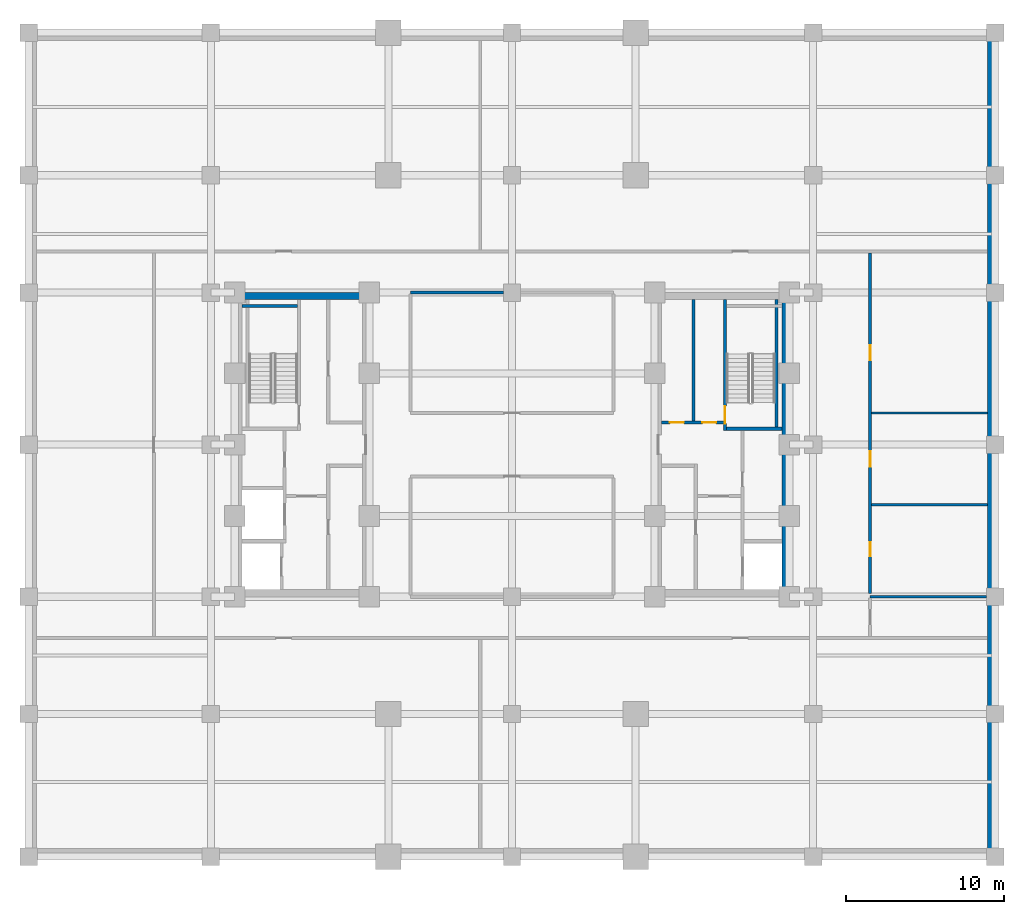
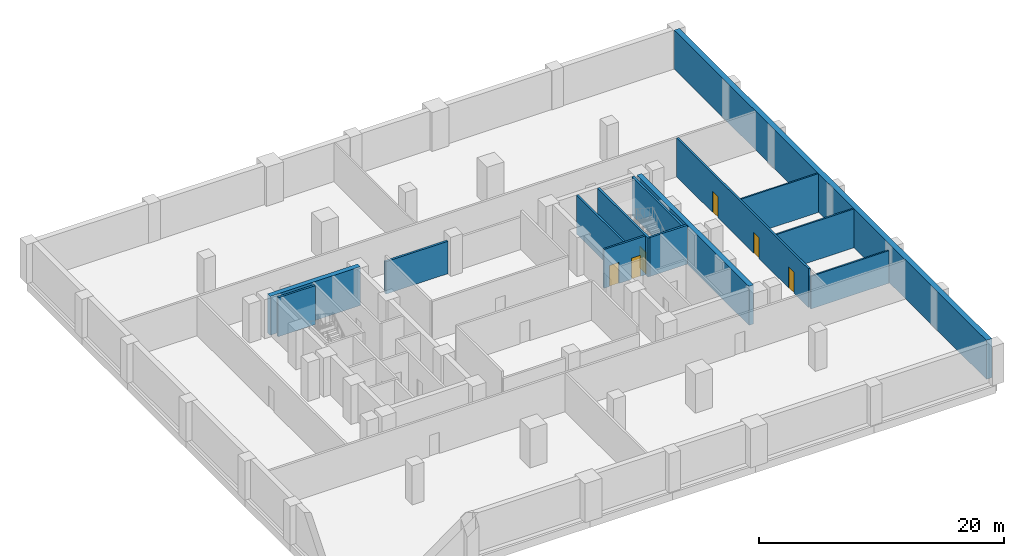
# One storey, part 4 of 6: 14 walls, 6 doors, 6 openings.
"""IFC4 building model written with IfcOpenShell, lengths in metres."""

from ifc_helpers import new_model, si_unit, direction, frame, frame_2d, origin, place, context, subcontext, project, spatial, rectangle, extrude, source, transform, mapped, material, layer, layer_set, type_object, type_shapes, element, fill, save


model = new_model("IFC4")

# Units and contexts
model_context = context("Model", 3, precision=1e-05, world=origin(), true_north=direction((0.0, 1.0)))
body_context = subcontext(model_context, "Body", "Model", "MODEL_VIEW")
ifc_project = project(units=[si_unit("LENGTHUNIT", "METRE"), si_unit("AREAUNIT", "SQUARE_METRE"), si_unit("VOLUMEUNIT", "CUBIC_METRE"), si_unit("PLANEANGLEUNIT", "RADIAN"), si_unit("MASSUNIT", "GRAM", prefix="KILO")], contexts=[model_context])

# Site, building, storey
site_placement = place(None, origin())
site = spatial("IfcSite", under=ifc_project, at=site_placement, CompositionType="ELEMENT")
building_placement = place(site_placement, origin())
building = spatial("IfcBuilding", under=site, at=building_placement, Name="Nuvemarco Arch Tower", CompositionType="ELEMENT")
storey_placement = place(building_placement, frame((0.0, 0.0, -4.199951171875)))
storey = spatial("IfcBuildingStorey", under=building, at=storey_placement, Name="B01", CompositionType="ELEMENT", Elevation=-4.199951171875)

# Walls
ifc_material_1 = material(Name="Concrete C60/75", Category="concrete")
ifc_layer_1 = layer(ifc_material_1, 0.449951171875, Name="WL-CORE-450")
ifc_layer_set_1 = layer_set([ifc_layer_1], Name="Concrete C60/75")
wall_type_1 = type_object("IfcWallType", Name="WL-CORE-450", PredefinedType="SHEAR", material=ifc_layer_set_1)
wall_1_placement = place(storey_placement, frame((-17.5, 9.375, 0.0), z_axis=(0.0, 0.0, 1.0), x_axis=(1.0, 0.0, 0.0)))
element("IfcWall", 1, at=wall_1_placement, inside=storey, type_object=wall_type_1, Name="B01 W-core shear wall N", PredefinedType="SHEAR", context=body_context, shape_type="SweptSolid", body=[
    extrude(rectangle(XDim=8.5, YDim=0.449951171875, at=frame_2d((4.25, 0.0))), origin(), (0.0, 0.0, 1.0), 3.8798828125),
])
wall_2_placement = place(storey_placement, frame((17.27490234375, -9.155029296875, 0.0), z_axis=(0.0, 0.0, 1.0), x_axis=(0.0, 1.0, 0.0)))
element("IfcWall", 2, at=wall_2_placement, inside=storey, type_object=wall_type_1, Name="B01 E-core shear wall E", PredefinedType="SHEAR", context=body_context, shape_type="SweptSolid", body=[
    extrude(rectangle(XDim=18.31005859375, YDim=0.449951171875, at=frame_2d((9.155029296875, 0.0))), origin(), (0.0, 0.0, 1.0), 3.8798828125),
])

# Wall, openings, doors
ifc_material_2 = material(Name="Fire-rated gypsum drywall partition")
ifc_layer_2 = layer(ifc_material_2, 0.179931640625, Name="WL-CORR-180")
ifc_layer_set_2 = layer_set([ifc_layer_2], Name="Fire-rated gypsum drywall partition")
wall_type_2 = type_object("IfcWallType", Name="WL-CORR-180", PredefinedType="PARTITIONING", material=ifc_layer_set_2)
wall_3_placement = place(storey_placement, frame((9.445068359375, 1.39990234375, 0.0), z_axis=(0.0, 0.0, 1.0), x_axis=(1.0, 0.0, 0.0)))
wall_3 = element("IfcWall", 3, at=wall_3_placement, inside=storey, type_object=wall_type_2, Name="B01 interior wall IW-B01-EK-S", PredefinedType="PARTITIONING", context=body_context, shape_type="SweptSolid", body=[
    extrude(rectangle(XDim=3.89990234375, YDim=0.179931640625, at=frame_2d((1.949951171875, 0.0))), origin(), (0.0, 0.0, 1.0), 3.869873046875),
])
opening_1_placement = place(wall_3_placement, frame((0.514892578125, 0.0, 0.0)))
opening_1 = element("IfcOpeningElement", 4, at=opening_1_placement, cuts=wall_3, Name="Opening FD-4", PredefinedType="OPENING", context=body_context, shape_type="SweptSolid", body=[
    extrude(rectangle(XDim=0.8798828125, YDim=2.10009765625, at=frame_2d((0.43994140625, 1.050048828125))), frame((0.0, 0.099853515625, 0.0), z_axis=(0.0, -1.0, 0.0), x_axis=(1.0, 0.0, 0.0)), (0.0, 0.0, 1.0), 0.199951171875),
])
opening_2_placement = place(wall_3_placement, frame((2.56494140625, 0.0, 0.0)))
opening_2 = element("IfcOpeningElement", 5, at=opening_2_placement, cuts=wall_3, Name="Opening FD-4", PredefinedType="OPENING", context=body_context, shape_type="SweptSolid", body=[
    extrude(rectangle(XDim=0.8798828125, YDim=2.10009765625, at=frame_2d((0.43994140625, 1.050048828125))), frame((0.0, 0.099853515625, 0.0), z_axis=(0.0, -1.0, 0.0), x_axis=(1.0, 0.0, 0.0)), (0.0, 0.0, 1.0), 0.199951171875),
])
ifc_material_3 = material(Name="Anodised steel fire door", Category="steel")
door_type_1 = type_object("IfcDoorType", Name="DR-RISER-FD", OperationType="NOTDEFINED", PredefinedType="DOOR", material=ifc_material_3)
shared_shape_1 = source(origin(), body_context, "Body", "SweptSolid", [
    extrude(rectangle(XDim=0.8798828125, YDim=2.10009765625, at=frame_2d((0.43994140625, 1.050048828125))), frame((0.0, 0.02490234375, 0.0), z_axis=(0.0, -1.0, 0.0), x_axis=(1.0, 0.0, 0.0)), (0.0, 0.0, 1.0), 0.050048828125),
])
type_shapes(door_type_1, [shared_shape_1])
door_1_placement = place(opening_1_placement, origin())
door_1 = element("IfcDoor", 6, at=door_1_placement, inside=storey, type_object=door_type_1, Name="B01 door FD-B01-EK2A", OperationType="SINGLE_SWING_LEFT", OverallHeight=2.10009765625, OverallWidth=0.8798828125, PredefinedType="DOOR", context=body_context, shape_type="MappedRepresentation", body=[
    mapped(shared_shape_1, transform((0.0, 0.0, 0.0), scale=1.0)),
])
fill(opening_1, door_1)
door_2_placement = place(opening_2_placement, origin())
door_2 = element("IfcDoor", 7, at=door_2_placement, inside=storey, type_object=door_type_1, Name="B01 door FD-B01-EK2B", OperationType="SINGLE_SWING_RIGHT", OverallHeight=2.10009765625, OverallWidth=0.8798828125, PredefinedType="DOOR", context=body_context, shape_type="MappedRepresentation", body=[
    mapped(shared_shape_1, transform((0.0, 0.0, 0.0), scale=1.0)),
])
fill(opening_2, door_2)

# Wall
wall_4_placement = place(storey_placement, frame((11.449951171875, 1.489990234375, 0.0), z_axis=(0.0, 0.0, 1.0), x_axis=(0.0, 1.0, 0.0)))
element("IfcWall", 8, at=wall_4_placement, inside=storey, type_object=wall_type_2, Name="B01 interior wall IW-B01-EK2", PredefinedType="PARTITIONING", context=body_context, shape_type="SweptSolid", body=[
    extrude(rectangle(XDim=7.6650390625, YDim=0.179931640625, at=frame_2d((3.83251953125, 0.0))), origin(), (0.0, 0.0, 1.0), 3.869873046875),
])

# Wall, openings, doors
wall_5_placement = place(storey_placement, frame((22.60009765625, -9.39990234375, 0.0), z_axis=(0.0, 0.0, 1.0), x_axis=(0.0, 1.0, 0.0)))
wall_5 = element("IfcWall", 9, at=wall_5_placement, inside=storey, type_object=wall_type_2, Name="B01 interior wall IW-B01-020", PredefinedType="PARTITIONING", context=body_context, shape_type="SweptSolid", body=[
    extrude(rectangle(XDim=21.50390625, YDim=0.179931640625, at=frame_2d((10.751953125, 0.0))), origin(), (0.0, 0.0, 1.0), 3.869873046875),
])
opening_3_placement = place(wall_5_placement, frame((14.719970703125, 0.0, 0.0)))
opening_3 = element("IfcOpeningElement", 10, at=opening_3_placement, cuts=wall_5, Name="Opening FD-5", PredefinedType="OPENING", context=body_context, shape_type="SweptSolid", body=[
    extrude(rectangle(XDim=0.9599609375, YDim=2.10009765625, at=frame_2d((0.47998046875, 1.050048828125))), frame((0.0, 0.099853515625, 0.0), z_axis=(0.0, -1.0, 0.0), x_axis=(1.0, 0.0, 0.0)), (0.0, 0.0, 1.0), 0.199951171875),
])
opening_4_placement = place(wall_5_placement, frame((8.02001953125, 0.0, 0.0)))
opening_4 = element("IfcOpeningElement", 11, at=opening_4_placement, cuts=wall_5, Name="Opening FD-5", PredefinedType="OPENING", context=body_context, shape_type="SweptSolid", body=[
    extrude(rectangle(XDim=0.9599609375, YDim=2.10009765625, at=frame_2d((0.47998046875, 1.050048828125))), frame((0.0, 0.099853515625, 0.0), z_axis=(0.0, -1.0, 0.0), x_axis=(1.0, 0.0, 0.0)), (0.0, 0.0, 1.0), 0.199951171875),
])
opening_5_placement = place(wall_5_placement, frame((2.35009765625, 0.0, 0.0)))
opening_5 = element("IfcOpeningElement", 12, at=opening_5_placement, cuts=wall_5, Name="Opening ID-3", PredefinedType="OPENING", context=body_context, shape_type="SweptSolid", body=[
    extrude(rectangle(XDim=0.89990234375, YDim=2.10009765625, at=frame_2d((0.449951171875, 1.050048828125))), frame((0.0, 0.099853515625, 0.0), z_axis=(0.0, -1.0, 0.0), x_axis=(1.0, 0.0, 0.0)), (0.0, 0.0, 1.0), 0.199951171875),
])
ifc_material_4 = material(Name="Timber fire door", Category="wood")
door_type_2 = type_object("IfcDoorType", Name="DR-CORR-FD", OperationType="NOTDEFINED", PredefinedType="DOOR", material=ifc_material_4)
shared_shape_2 = source(origin(), body_context, "Body", "SweptSolid", [
    extrude(rectangle(XDim=0.9599609375, YDim=2.10009765625, at=frame_2d((0.47998046875, 1.050048828125))), frame((0.0, 0.02490234375, 0.0), z_axis=(0.0, -1.0, 0.0), x_axis=(1.0, 0.0, 0.0)), (0.0, 0.0, 1.0), 0.050048828125),
])
type_shapes(door_type_2, [shared_shape_2])
door_3_placement = place(opening_3_placement, origin())
door_3 = element("IfcDoor", 13, at=door_3_placement, inside=storey, type_object=door_type_2, Name="B01 door DR-B01-B01_BMS", OperationType="SINGLE_SWING_RIGHT", OverallHeight=2.10009765625, OverallWidth=0.9599609375, PredefinedType="DOOR", context=body_context, shape_type="MappedRepresentation", body=[
    mapped(shared_shape_2, transform((0.0, 0.0, 0.0), scale=1.0)),
])
fill(opening_3, door_3)
door_4_placement = place(opening_4_placement, origin())
door_4 = element("IfcDoor", 14, at=door_4_placement, inside=storey, type_object=door_type_2, Name="B01 door DR-B01-B01_LCK", OperationType="SINGLE_SWING_LEFT", OverallHeight=2.10009765625, OverallWidth=0.9599609375, PredefinedType="DOOR", context=body_context, shape_type="MappedRepresentation", body=[
    mapped(shared_shape_2, transform((0.0, 0.0, 0.0), scale=1.0)),
])
fill(opening_4, door_4)
ifc_material_5 = material(Name="Veneered oak timber fire door", Category="wood")
door_type_3 = type_object("IfcDoorType", Name="DR-WC-ACC", OperationType="NOTDEFINED", PredefinedType="DOOR", material=ifc_material_5)
shared_shape_3 = source(origin(), body_context, "Body", "SweptSolid", [
    extrude(rectangle(XDim=0.89990234375, YDim=2.10009765625, at=frame_2d((0.449951171875, 1.050048828125))), frame((0.0, 0.02490234375, 0.0), z_axis=(0.0, -1.0, 0.0), x_axis=(1.0, 0.0, 0.0)), (0.0, 0.0, 1.0), 0.050048828125),
])
type_shapes(door_type_3, [shared_shape_3])
door_5_placement = place(opening_5_placement, origin())
door_5 = element("IfcDoor", 15, at=door_5_placement, inside=storey, type_object=door_type_3, Name="B01 door DR-B01-B01_SHW_M", OperationType="SINGLE_SWING_RIGHT", OverallHeight=2.10009765625, OverallWidth=0.89990234375, PredefinedType="DOOR", context=body_context, shape_type="MappedRepresentation", body=[
    mapped(shared_shape_3, transform((0.0, 0.0, 0.0), scale=1.0)),
])
fill(opening_5, door_5)

# Walls
ifc_material_6 = material(Name="Precast concrete C45/55", Category="concrete")
ifc_layer_3 = layer(ifc_material_6, 0.199951171875, Name="WL-PLANT-200")
ifc_layer_set_3 = layer_set([ifc_layer_3], Name="Precast concrete C45/55")
wall_type_3 = type_object("IfcWallType", Name="WL-PLANT-200", PredefinedType="STANDARD", material=ifc_layer_set_3)
wall_6_placement = place(storey_placement, frame((-6.39990234375, 9.60009765625, 0.0), z_axis=(0.0, 0.0, 1.0), x_axis=(1.0, 0.0, 0.0)))
element("IfcWall", 16, at=wall_6_placement, inside=storey, type_object=wall_type_3, Name="B01 interior wall IW-B01-009", PredefinedType="STANDARD", context=body_context, shape_type="SweptSolid", body=[
    extrude(rectangle(XDim=5.85400390625, YDim=0.199951171875, at=frame_2d((2.927001953125, 0.0))), origin(), (0.0, 0.0, 1.0), 3.23486328125),
])
ifc_material_7 = material(Name="Concrete C50/60", Category="concrete")
ifc_layer_4 = layer(ifc_material_7, 0.5, Name="WL-RET-500")
ifc_layer_set_4 = layer_set([ifc_layer_4], Name="Concrete C50/60")
wall_type_4 = type_object("IfcWallType", Name="WL-RET-500", PredefinedType="SOLIDWALL", material=ifc_layer_set_4)
wall_7_placement = place(storey_placement, frame((30.25, -25.5048828125, 0.0), z_axis=(0.0, 0.0, 1.0), x_axis=(0.0, 1.0, 0.0)))
element("IfcWall", 17, at=wall_7_placement, inside=storey, type_object=wall_type_4, Name="B01 perimeter retaining wall E", PredefinedType="SOLIDWALL", context=body_context, shape_type="SweptSolid", body=[
    extrude(rectangle(XDim=51.009765625, YDim=0.5, at=frame_2d((25.5048828125, 0.0))), origin(), (0.0, 0.0, 1.0), 3.8798828125),
])
ifc_material_8 = material(Name="Gypsum plasterboard partition")
ifc_layer_5 = layer(ifc_material_8, 0.139892578125, Name="WL-ROOM-140")
ifc_layer_set_5 = layer_set([ifc_layer_5], Name="Gypsum plasterboard partition")
wall_type_5 = type_object("IfcWallType", Name="WL-ROOM-140", PredefinedType="PARTITIONING", material=ifc_layer_set_5)
wall_8_placement = place(storey_placement, frame((22.68603515625, 2.0, 0.0), z_axis=(0.0, 0.0, 1.0), x_axis=(1.0, 0.0, 0.0)))
element("IfcWall", 18, at=wall_8_placement, inside=storey, type_object=wall_type_5, Name="B01 interior wall IW-B01-008", PredefinedType="PARTITIONING", context=body_context, shape_type="SweptSolid", body=[
    extrude(rectangle(XDim=7.31396484375, YDim=0.139892578125, at=frame_2d((3.656982421875, 0.0))), origin(), (0.0, 0.0, 1.0), 3.869873046875),
])
ifc_layer_6 = layer(ifc_material_7, 0.199951171875, Name="WL-SHAFT-220")
ifc_layer_set_6 = layer_set([ifc_layer_6], Name="Concrete C50/60")
wall_type_6 = type_object("IfcWallType", Name="WL-SHAFT-220", PredefinedType="SHEAR", material=ifc_layer_set_6)
wall_9_placement = place(storey_placement, frame((-17.054931640625, 8.75, 0.0), z_axis=(0.0, 0.0, 1.0), x_axis=(1.0, 0.0, 0.0)))
element("IfcWall", 19, at=wall_9_placement, inside=storey, type_object=wall_type_6, Name="B01 structural shaft wall SW-B01-W-ST1N", PredefinedType="SHEAR", context=body_context, shape_type="SweptSolid", body=[
    extrude(rectangle(XDim=3.52001953125, YDim=0.199951171875, at=frame_2d((1.760009765625, 0.0))), origin(), (0.0, 0.0, 1.0), 3.8798828125),
])

# Wall, opening, door
wall_10_placement = place(storey_placement, frame((13.43994140625, 0.89990234375, 0.0), z_axis=(0.0, 0.0, 1.0), x_axis=(0.0, 1.0, 0.0)))
wall_10 = element("IfcWall", 20, at=wall_10_placement, inside=storey, type_object=wall_type_6, Name="B01 structural shaft wall SW-B01-E-ST2W", PredefinedType="SHEAR", context=body_context, shape_type="SweptSolid", body=[
    extrude(rectangle(XDim=8.255126953125, YDim=0.199951171875, at=frame_2d((4.12744140625, 0.0))), origin(), (0.0, 0.0, 1.0), 3.8798828125),
])
opening_6_placement = place(wall_10_placement, frame((0.429931640625, 0.0, 0.0)))
opening_6 = element("IfcOpeningElement", 21, at=opening_6_placement, cuts=wall_10, Name="Opening FD-1", PredefinedType="OPENING", context=body_context, shape_type="SweptSolid", body=[
    extrude(rectangle(XDim=1.10009765625, YDim=2.14990234375, at=frame_2d((0.550048828125, 1.074951171875))), frame((0.0, 0.10986328125, 0.0), z_axis=(0.0, -1.0, 0.0), x_axis=(1.0, 0.0, 0.0)), (0.0, 0.0, 1.0), 0.219970703125),
])
door_type_4 = type_object("IfcDoorType", Name="DR-STAIR-FD", OperationType="NOTDEFINED", PredefinedType="DOOR", material=ifc_material_3)
shared_shape_4 = source(origin(), body_context, "Body", "SweptSolid", [
    extrude(rectangle(XDim=1.10009765625, YDim=2.14990234375, at=frame_2d((0.550048828125, 1.074951171875))), frame((0.0, 0.02490234375, 0.0), z_axis=(0.0, -1.0, 0.0), x_axis=(1.0, 0.0, 0.0)), (0.0, 0.0, 1.0), 0.050048828125),
])
type_shapes(door_type_4, [shared_shape_4])
door_6_placement = place(opening_6_placement, origin())
door_6 = element("IfcDoor", 22, at=door_6_placement, inside=storey, type_object=door_type_4, Name="B01 door FD-B01-ST2", OperationType="SINGLE_SWING_LEFT", OverallHeight=2.14990234375, OverallWidth=1.10009765625, PredefinedType="DOOR", context=body_context, shape_type="MappedRepresentation", body=[
    mapped(shared_shape_4, transform((0.0, 0.0, 0.0), scale=1.0)),
])
fill(opening_6, door_6)

# Walls
wall_11_placement = place(storey_placement, frame((13.534912109375, 1.0, 0.0), z_axis=(0.0, 0.0, 1.0), x_axis=(1.0, 0.0, 0.0)))
element("IfcWall", 23, at=wall_11_placement, inside=storey, type_object=wall_type_6, Name="B01 structural shaft wall SW-B01-E-ST2S", PredefinedType="SHEAR", context=body_context, shape_type="SweptSolid", body=[
    extrude(rectangle(XDim=3.52001953125, YDim=0.199951171875, at=frame_2d((1.760009765625, 0.0))), origin(), (0.0, 0.0, 1.0), 3.8798828125),
])
wall_12_placement = place(storey_placement, frame((16.699951171875, 1.094970703125, 0.0), z_axis=(0.0, 0.0, 1.0), x_axis=(0.0, 1.0, 0.0)))
element("IfcWall", 24, at=wall_12_placement, inside=storey, type_object=wall_type_6, Name="B01 structural shaft wall SW-B01-E-ST2E", PredefinedType="SHEAR", context=body_context, shape_type="SweptSolid", body=[
    extrude(rectangle(XDim=8.06005859375, YDim=0.199951171875, at=frame_2d((4.030029296875, 0.0))), origin(), (0.0, 0.0, 1.0), 3.8798828125),
])
ifc_material_9 = material(Name="Moisture-resistant gypsum partition")
ifc_layer_7 = layer(ifc_material_9, 0.14990234375, Name="WL-WET-150")
ifc_layer_set_7 = layer_set([ifc_layer_7], Name="Moisture-resistant gypsum partition")
wall_type_7 = type_object("IfcWallType", Name="WL-WET-150", PredefinedType="PARTITIONING", material=ifc_layer_set_7)
wall_13_placement = place(storey_placement, frame((22.60009765625, -9.60009765625, 0.0), z_axis=(0.0, 0.0, 1.0), x_axis=(1.0, 0.0, 0.0)))
element("IfcWall", 25, at=wall_13_placement, inside=storey, type_object=wall_type_7, Name="B01 interior wall IW-B01-004", PredefinedType="PARTITIONING", context=body_context, shape_type="SweptSolid", body=[
    extrude(rectangle(XDim=7.35400390625, YDim=0.14990234375, at=frame_2d((3.677001953125, 0.0))), origin(), (0.0, 0.0, 1.0), 3.2490234375),
])
wall_14_placement = place(storey_placement, frame((22.68603515625, -3.800048828125, 0.0), z_axis=(0.0, 0.0, 1.0), x_axis=(1.0, 0.0, 0.0)))
element("IfcWall", 26, at=wall_14_placement, inside=storey, type_object=wall_type_7, Name="B01 interior wall IW-B01-005", PredefinedType="PARTITIONING", context=body_context, shape_type="SweptSolid", body=[
    extrude(rectangle(XDim=7.31396484375, YDim=0.14990234375, at=frame_2d((3.656982421875, 0.0))), origin(), (0.0, 0.0, 1.0), 3.869873046875),
])

save(model, "model.ifc")
